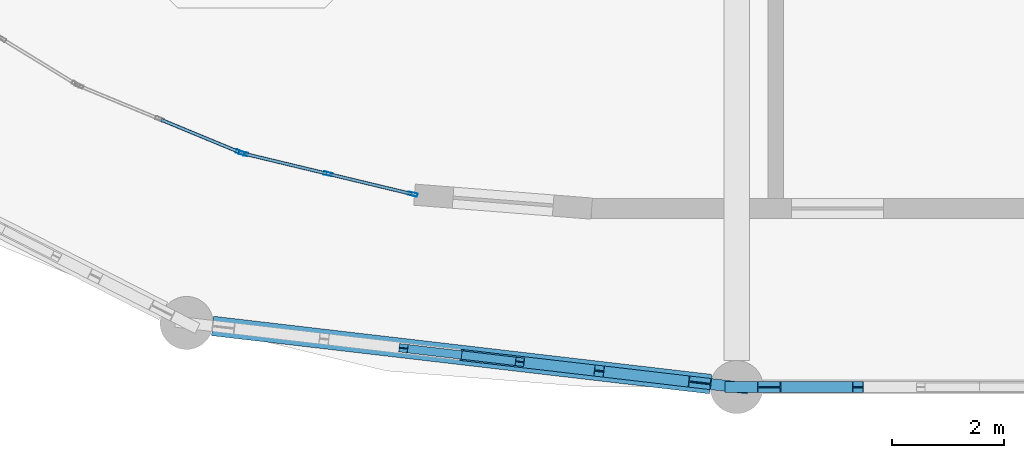
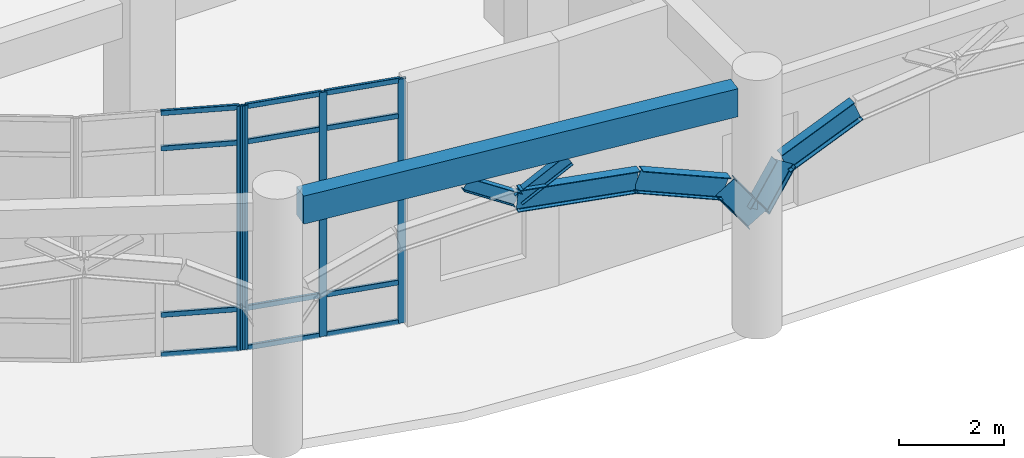
# One storey, part 5 of 82: 18 members, 6 beams, 2 elements without a shape of their own.
"""IFC4 building model written with IfcOpenShell, lengths in metres."""

from ifc_helpers import new_model, si_unit, derived_unit, direction, frame, origin, origin_2d, place, context, subcontext, project, spatial, rectangle, hollow_rectangle, i_section, extrude, material, layer, layer_set, material_profile, profile_set, type_object, element, aggregate, save


model = new_model("IFC4")

# Units and contexts
model_context = context("Model", 3, precision=1e-05, world=origin(), true_north=direction((0.0, 1.0)))
body_context = subcontext(model_context, "Body", "Model", "MODEL_VIEW")
ifc_project = project(units=[si_unit("LENGTHUNIT", "METRE"), si_unit("AREAUNIT", "SQUARE_METRE"), si_unit("VOLUMEUNIT", "CUBIC_METRE"), si_unit("PLANEANGLEUNIT", "RADIAN"), si_unit("MASSUNIT", "GRAM", prefix="KILO"), derived_unit("THERMALTRANSMITTANCEUNIT", [(si_unit("MASSUNIT", "GRAM", prefix="KILO"), 1), (si_unit("TIMEUNIT", "SECOND"), -3), (si_unit("THERMODYNAMICTEMPERATUREUNIT", "KELVIN"), -1)])], contexts=[model_context])

# Site, building, storey
site_placement = place(None, origin())
site = spatial("IfcSite", under=ifc_project, at=site_placement, CompositionType="ELEMENT")
building_placement = place(site_placement, origin())
building = spatial("IfcBuilding", under=site, at=building_placement, Name="Qinzheling Arcade Emporium", CompositionType="ELEMENT")
storey_placement = place(building_placement, origin())
storey = spatial("IfcBuildingStorey", under=building, at=storey_placement, Name="L01", CompositionType="ELEMENT", Elevation=0.0)

# Beams
ifc_material_1 = material(Name="Weathering steel Q355NH", Category="steel")
ifc_material_profile_1 = material_profile(ifc_material_1, i_section(OverallWidth=0.199951171875, OverallDepth=0.5, WebThickness=0.010009765625, FlangeThickness=0.01611328125, FilletRadius=0.01806640625, at=origin_2d()), Name="HN 500x200x10x16", Category="steel")
ifc_profile_set_1 = profile_set([ifc_material_profile_1], Name="Weathering steel Q355NH")
beam_type_1 = type_object("IfcBeamType", Name="Arcade End Arch Rib HN500 Q355NH", PredefinedType="BEAM", material=ifc_profile_set_1)
beam_1_placement = place(storey_placement, frame((21.1689453125, 0.574951171875, 4.300048828125), z_axis=(0.9884870825, -0.115031427348, -0.098290683453), x_axis=(0.115591148928, 0.993296877217, 0.0)))
element("IfcBeam", 1, at=beam_1_placement, inside=storey, type_object=beam_type_1, Name="Curved Arcade Entrance Arch ARC-L01-CV1-B05-C04", PredefinedType="BEAM", context=body_context, shape_type="SweptSolid", body=[
    extrude(i_section(OverallWidth=0.199951171875, OverallDepth=0.5, WebThickness=0.010009765625, FlangeThickness=0.01611328125, FilletRadius=0.01806640625, at=origin_2d()), origin(), (0.0, 0.0, 1.0), 2.493896484375),
])
beam_2_placement = place(storey_placement, frame((23.634033203125, 0.2880859375, 4.054931640625), z_axis=(0.932404077044, -0.109093673291, -0.344559439806), x_axis=(0.116209840616, 0.993224684019, 0.0)))
element("IfcBeam", 2, at=beam_2_placement, inside=storey, type_object=beam_type_1, Name="Curved Arcade Entrance Arch ARC-L01-CV1-B05-C05", PredefinedType="BEAM", context=body_context, shape_type="SweptSolid", body=[
    extrude(i_section(OverallWidth=0.199951171875, OverallDepth=0.5, WebThickness=0.010009765625, FlangeThickness=0.01611328125, FilletRadius=0.01806640625, at=origin_2d()), origin(), (0.0, 0.0, 1.0), 1.935791015625),
])
beam_3_placement = place(storey_placement, frame((25.43896484375, 0.076904296875, 3.387939453125), z_axis=(0.585212853752, -0.068073134761, -0.808017304349), x_axis=(0.115542940591, 0.993302486094, 0.0)))
element("IfcBeam", 3, at=beam_3_placement, inside=storey, type_object=beam_type_1, Name="Curved Arcade Entrance Arch ARC-L01-CV1-B05-C06", PredefinedType="BEAM", context=body_context, shape_type="SweptSolid", body=[
    extrude(i_section(OverallWidth=0.199951171875, OverallDepth=0.5, WebThickness=0.010009765625, FlangeThickness=0.01611328125, FilletRadius=0.01806640625, at=origin_2d()), origin(), (0.0, 0.0, 1.0), 1.129638671875),
])
beam_4_placement = place(storey_placement, frame((26.10009765625, 0.0, 2.675048828125), z_axis=(0.538669576493, 0.0, 0.842517113987), x_axis=(0.0, 1.0, 0.0)))
element("IfcBeam", 4, at=beam_4_placement, inside=storey, type_object=beam_type_1, Name="Street Entrance Arch ARC-L01-S01-C01", PredefinedType="BEAM", context=body_context, shape_type="SweptSolid", body=[
    extrude(i_section(OverallWidth=0.199951171875, OverallDepth=0.5, WebThickness=0.010009765625, FlangeThickness=0.01611328125, FilletRadius=0.01806640625, at=origin_2d()), origin(), (0.0, 0.0, 1.0), 1.082275390625),
])
beam_5_placement = place(storey_placement, frame((26.68310546875, 0.0, 3.5869140625), z_axis=(0.922103242281, 0.0, 0.386943937251), x_axis=(0.0, 1.0, 0.0)))
element("IfcBeam", 5, at=beam_5_placement, inside=storey, type_object=beam_type_1, Name="Street Entrance Arch ARC-L01-S01-C02", PredefinedType="BEAM", context=body_context, shape_type="SweptSolid", body=[
    extrude(i_section(OverallWidth=0.199951171875, OverallDepth=0.5, WebThickness=0.010009765625, FlangeThickness=0.01611328125, FilletRadius=0.01806640625, at=origin_2d()), origin(), (0.0, 0.0, 1.0), 1.726318359375),
])

# Members
ifc_material_profile_2 = material_profile(ifc_material_1, i_section(OverallWidth=0.14990234375, OverallDepth=0.300048828125, WebThickness=0.006591796875, FlangeThickness=0.009033203125, FilletRadius=0.012939453125, at=origin_2d()), Name="HN 300x150x6.5x9", Category="steel")
ifc_profile_set_2 = profile_set([ifc_material_profile_2], Name="Weathering steel Q355NH")
member_type_1 = type_object("IfcMemberType", Name="Arcade Spandrel Web Chord HN300 Q355NH", PredefinedType="CHORD", material=ifc_profile_set_2)
for number, where, z_axis, x_axis, name in (
    (6, (21.1689453125, 0.574951171875, 4.31005859375), (-0.848153034318, 0.09926884765, 0.520367299379), (-0.116247689013, -0.993220254928, 0.0), "Arcade Spandrel Web Chord ASW-L01-CV1-B05-W1"),
    (7, (21.1689453125, 0.574951171875, 4.31005859375), (0.848153034318, -0.09926884765, 0.520367299379), (0.116247689013, 0.993220254928, 0.0), "Arcade Spandrel Web Chord ASW-L01-CV1-B05-W2"),
):
    element("IfcMember", number, at=place(storey_placement, frame(where, z_axis=z_axis, x_axis=x_axis)), inside=storey, type_object=member_type_1, Name=name, PredefinedType="CHORD", context=body_context, shape_type="SweptSolid", body=[
        extrude(i_section(OverallWidth=0.14990234375, OverallDepth=0.300048828125, WebThickness=0.006591796875, FlangeThickness=0.009033203125, FilletRadius=0.012939453125, at=origin_2d()), origin(), (0.0, 0.0, 1.0), 1.229736328125),
    ])

# Curtain wall, members
ifc_material_2 = material(Name="Anodised aluminium and solar-control double glazing", Category="aluminium")
ifc_layer = layer(ifc_material_2, 0.159912109375, Name="Anodised aluminium and solar-control double glazing", Category="aluminium")
ifc_layer_set = layer_set([ifc_layer], Name="Anodised aluminium and solar-control double glazing")
curtain_wall_type = type_object("IfcCurtainWallType", Name="Curved Ribbon Sales Curtain Wall", PredefinedType="NOTDEFINED", material=ifc_layer_set)
curtain_wall_1_placement = place(storey_placement, origin())
curtain_wall_1 = element("IfcCurtainWall", 8, at=curtain_wall_1_placement, inside=storey, type_object=curtain_wall_type, Name="Curtain Wall CW-L01-011", PredefinedType="NOTDEFINED")
ifc_material_3 = material(Name="Anodised aluminium 6063-T6", Category="aluminium")
ifc_material_profile_3 = material_profile(ifc_material_3, hollow_rectangle(XDim=0.06005859375, YDim=0.159912109375, WallThickness=0.00390625, InnerFilletRadius=0.00390625, OuterFilletRadius=0.008056640625, at=origin_2d()), Name="RHS 160x60x4", Category="aluminium")
ifc_profile_set_3 = profile_set([ifc_material_profile_3], Name="Anodised aluminium 6063-T6")
member_type_2 = type_object("IfcMemberType", Name="Curtain Wall Mullion RHS160x60", PredefinedType="MULLION", material=ifc_profile_set_3)
member_1_placement = place(storey_placement, frame((20.294921875, 3.45703125, 0.0), z_axis=(0.0, 0.0, 1.0), x_axis=(-0.233586687032, -0.972335980843, 0.0)))
member_1 = element("IfcMember", 9, at=member_1_placement, type_object=member_type_2, Name="CW02 mullion 1", PredefinedType="MULLION", context=body_context, shape_type="SweptSolid", body=[
    extrude(hollow_rectangle(XDim=0.06005859375, YDim=0.159912109375, WallThickness=0.00390625, InnerFilletRadius=0.00390625, OuterFilletRadius=0.008056640625, at=origin_2d()), origin(), (0.0, 0.0, 1.0), 5.659912109375),
])
member_2_placement = place(storey_placement, frame((18.775390625, 3.822021484375, 0.0), z_axis=(0.0, 0.0, 1.0), x_axis=(-0.233586687032, -0.972335980843, 0.0)))
member_2 = element("IfcMember", 10, at=member_2_placement, type_object=member_type_2, Name="CW02 mullion 2", PredefinedType="MULLION", context=body_context, shape_type="SweptSolid", body=[
    extrude(hollow_rectangle(XDim=0.06005859375, YDim=0.159912109375, WallThickness=0.00390625, InnerFilletRadius=0.00390625, OuterFilletRadius=0.008056640625, at=origin_2d()), origin(), (0.0, 0.0, 1.0), 5.659912109375),
])
member_3_placement = place(storey_placement, frame((17.256103515625, 4.18701171875, 0.0), z_axis=(0.0, 0.0, 1.0), x_axis=(-0.233586687032, -0.972335980843, 0.0)))
member_3 = element("IfcMember", 11, at=member_3_placement, type_object=member_type_2, Name="CW02 mullion 3", PredefinedType="MULLION", context=body_context, shape_type="SweptSolid", body=[
    extrude(hollow_rectangle(XDim=0.06005859375, YDim=0.159912109375, WallThickness=0.00390625, InnerFilletRadius=0.00390625, OuterFilletRadius=0.008056640625, at=origin_2d()), origin(), (0.0, 0.0, 1.0), 5.659912109375),
])

# Curtain wall, member
curtain_wall_2_placement = place(storey_placement, origin())
curtain_wall_2 = element("IfcCurtainWall", 12, at=curtain_wall_2_placement, inside=storey, type_object=curtain_wall_type, Name="Curtain Wall CW-L01-012", PredefinedType="NOTDEFINED")
member_4_placement = place(storey_placement, frame((17.19921875, 4.20556640625, 0.0), z_axis=(0.0, 0.0, 1.0), x_axis=(-0.382675256043, -0.923882919212, 0.0)))
member_4 = element("IfcMember", 13, at=member_4_placement, type_object=member_type_2, Name="CW02 mullion 1", PredefinedType="MULLION", context=body_context, shape_type="SweptSolid", body=[
    extrude(hollow_rectangle(XDim=0.06005859375, YDim=0.159912109375, WallThickness=0.00390625, InnerFilletRadius=0.00390625, OuterFilletRadius=0.008056640625, at=origin_2d()), origin(), (0.0, 0.0, 1.0), 5.659912109375),
])

# Member
ifc_material_profile_4 = material_profile(ifc_material_3, hollow_rectangle(XDim=0.06005859375, YDim=0.1201171875, WallThickness=0.00390625, InnerFilletRadius=0.00390625, OuterFilletRadius=0.008056640625, at=origin_2d()), Name="RHS 120x60x4", Category="aluminium")
ifc_profile_set_4 = profile_set([ifc_material_profile_4], Name="Anodised aluminium 6063-T6")
member_type_3 = type_object("IfcMemberType", Name="Curtain Wall Transom RHS120x60", PredefinedType="USERDEFINED", material=ifc_profile_set_4)
member_5_placement = place(storey_placement, frame((20.265625, 3.464111328125, 0.030029296875), z_axis=(-0.972356319013, 0.233502010431, 0.0), x_axis=(-0.233502010431, -0.972356319013, 0.0)))
member_5 = element("IfcMember", 14, at=member_5_placement, type_object=member_type_3, Name="CW02 transom 1.1", ObjectType="TRANSOM", PredefinedType="USERDEFINED", context=body_context, shape_type="SweptSolid", body=[
    extrude(hollow_rectangle(XDim=0.06005859375, YDim=0.1201171875, WallThickness=0.00390625, InnerFilletRadius=0.00390625, OuterFilletRadius=0.008056640625, at=origin_2d()), origin(), (0.0, 0.0, 1.0), 1.50244140625),
])

member_6_placement = place(storey_placement, frame((20.265625, 3.464111328125, 0.949951171875), z_axis=(-0.972356319013, 0.233502010431, 0.0), x_axis=(-0.233502010431, -0.972356319013, 0.0)))
member_6 = element("IfcMember", 15, at=member_6_placement, type_object=member_type_3, Name="CW02 transom 1.2", ObjectType="TRANSOM", PredefinedType="USERDEFINED", context=body_context, shape_type="SweptSolid", body=[
    extrude(hollow_rectangle(XDim=0.06005859375, YDim=0.1201171875, WallThickness=0.00390625, InnerFilletRadius=0.00390625, OuterFilletRadius=0.008056640625, at=origin_2d()), origin(), (0.0, 0.0, 1.0), 1.50244140625),
])

member_7_placement = place(storey_placement, frame((20.265625, 3.464111328125, 4.81005859375), z_axis=(-0.972356319013, 0.233502010431, 0.0), x_axis=(-0.233502010431, -0.972356319013, 0.0)))
member_7 = element("IfcMember", 16, at=member_7_placement, type_object=member_type_3, Name="CW02 transom 1.3", ObjectType="TRANSOM", PredefinedType="USERDEFINED", context=body_context, shape_type="SweptSolid", body=[
    extrude(hollow_rectangle(XDim=0.06005859375, YDim=0.1201171875, WallThickness=0.00390625, InnerFilletRadius=0.00390625, OuterFilletRadius=0.008056640625, at=origin_2d()), origin(), (0.0, 0.0, 1.0), 1.50244140625),
])

member_8_placement = place(storey_placement, frame((20.265625, 3.464111328125, 5.6298828125), z_axis=(-0.972356319013, 0.233502010431, 0.0), x_axis=(-0.233502010431, -0.972356319013, 0.0)))
member_8 = element("IfcMember", 17, at=member_8_placement, type_object=member_type_3, Name="CW02 transom 1.4", ObjectType="TRANSOM", PredefinedType="USERDEFINED", context=body_context, shape_type="SweptSolid", body=[
    extrude(hollow_rectangle(XDim=0.06005859375, YDim=0.1201171875, WallThickness=0.00390625, InnerFilletRadius=0.00390625, OuterFilletRadius=0.008056640625, at=origin_2d()), origin(), (0.0, 0.0, 1.0), 1.50244140625),
])

member_9_placement = place(storey_placement, frame((18.746337890625, 3.8291015625, 0.030029296875), z_axis=(-0.972356319013, 0.233502010431, 0.0), x_axis=(-0.233502010431, -0.972356319013, 0.0)))
member_9 = element("IfcMember", 18, at=member_9_placement, type_object=member_type_3, Name="CW02 transom 2.1", ObjectType="TRANSOM", PredefinedType="USERDEFINED", context=body_context, shape_type="SweptSolid", body=[
    extrude(hollow_rectangle(XDim=0.06005859375, YDim=0.1201171875, WallThickness=0.00390625, InnerFilletRadius=0.00390625, OuterFilletRadius=0.008056640625, at=origin_2d()), origin(), (0.0, 0.0, 1.0), 1.50244140625),
])

member_10_placement = place(storey_placement, frame((18.746337890625, 3.8291015625, 0.949951171875), z_axis=(-0.972356319013, 0.233502010431, 0.0), x_axis=(-0.233502010431, -0.972356319013, 0.0)))
member_10 = element("IfcMember", 19, at=member_10_placement, type_object=member_type_3, Name="CW02 transom 2.2", ObjectType="TRANSOM", PredefinedType="USERDEFINED", context=body_context, shape_type="SweptSolid", body=[
    extrude(hollow_rectangle(XDim=0.06005859375, YDim=0.1201171875, WallThickness=0.00390625, InnerFilletRadius=0.00390625, OuterFilletRadius=0.008056640625, at=origin_2d()), origin(), (0.0, 0.0, 1.0), 1.50244140625),
])

member_11_placement = place(storey_placement, frame((18.746337890625, 3.8291015625, 4.81005859375), z_axis=(-0.972356319013, 0.233502010431, 0.0), x_axis=(-0.233502010431, -0.972356319013, 0.0)))
member_11 = element("IfcMember", 20, at=member_11_placement, type_object=member_type_3, Name="CW02 transom 2.3", ObjectType="TRANSOM", PredefinedType="USERDEFINED", context=body_context, shape_type="SweptSolid", body=[
    extrude(hollow_rectangle(XDim=0.06005859375, YDim=0.1201171875, WallThickness=0.00390625, InnerFilletRadius=0.00390625, OuterFilletRadius=0.008056640625, at=origin_2d()), origin(), (0.0, 0.0, 1.0), 1.50244140625),
])

member_12_placement = place(storey_placement, frame((18.746337890625, 3.8291015625, 5.6298828125), z_axis=(-0.972356319013, 0.233502010431, 0.0), x_axis=(-0.233502010431, -0.972356319013, 0.0)))
member_12 = element("IfcMember", 21, at=member_12_placement, type_object=member_type_3, Name="CW02 transom 2.4", ObjectType="TRANSOM", PredefinedType="USERDEFINED", context=body_context, shape_type="SweptSolid", body=[
    extrude(hollow_rectangle(XDim=0.06005859375, YDim=0.1201171875, WallThickness=0.00390625, InnerFilletRadius=0.00390625, OuterFilletRadius=0.008056640625, at=origin_2d()), origin(), (0.0, 0.0, 1.0), 1.50244140625),
])

aggregate(curtain_wall_1, [member_1, member_2, member_3, member_5, member_6, member_7, member_8, member_9, member_10, member_11, member_12])

member_13_placement = place(storey_placement, frame((17.171630859375, 4.217041015625, 0.030029296875), z_axis=(-0.92391585997, 0.382595718345, 0.0), x_axis=(-0.382595718345, -0.92391585997, 0.0)))
member_13 = element("IfcMember", 22, at=member_13_placement, type_object=member_type_3, Name="CW02 transom 1.1", ObjectType="TRANSOM", PredefinedType="USERDEFINED", context=body_context, shape_type="SweptSolid", body=[
    extrude(hollow_rectangle(XDim=0.06005859375, YDim=0.1201171875, WallThickness=0.00390625, InnerFilletRadius=0.00390625, OuterFilletRadius=0.008056640625, at=origin_2d()), origin(), (0.0, 0.0, 1.0), 1.502685546875),
])

member_14_placement = place(storey_placement, frame((17.171630859375, 4.217041015625, 0.949951171875), z_axis=(-0.92391585997, 0.382595718345, 0.0), x_axis=(-0.382595718345, -0.92391585997, 0.0)))
member_14 = element("IfcMember", 23, at=member_14_placement, type_object=member_type_3, Name="CW02 transom 1.2", ObjectType="TRANSOM", PredefinedType="USERDEFINED", context=body_context, shape_type="SweptSolid", body=[
    extrude(hollow_rectangle(XDim=0.06005859375, YDim=0.1201171875, WallThickness=0.00390625, InnerFilletRadius=0.00390625, OuterFilletRadius=0.008056640625, at=origin_2d()), origin(), (0.0, 0.0, 1.0), 1.502685546875),
])

member_15_placement = place(storey_placement, frame((17.171630859375, 4.217041015625, 4.81005859375), z_axis=(-0.92391585997, 0.382595718345, 0.0), x_axis=(-0.382595718345, -0.92391585997, 0.0)))
member_15 = element("IfcMember", 24, at=member_15_placement, type_object=member_type_3, Name="CW02 transom 1.3", ObjectType="TRANSOM", PredefinedType="USERDEFINED", context=body_context, shape_type="SweptSolid", body=[
    extrude(hollow_rectangle(XDim=0.06005859375, YDim=0.1201171875, WallThickness=0.00390625, InnerFilletRadius=0.00390625, OuterFilletRadius=0.008056640625, at=origin_2d()), origin(), (0.0, 0.0, 1.0), 1.502685546875),
])

member_16_placement = place(storey_placement, frame((17.171630859375, 4.217041015625, 5.6298828125), z_axis=(-0.92391585997, 0.382595718345, 0.0), x_axis=(-0.382595718345, -0.92391585997, 0.0)))
member_16 = element("IfcMember", 25, at=member_16_placement, type_object=member_type_3, Name="CW02 transom 1.4", ObjectType="TRANSOM", PredefinedType="USERDEFINED", context=body_context, shape_type="SweptSolid", body=[
    extrude(hollow_rectangle(XDim=0.06005859375, YDim=0.1201171875, WallThickness=0.00390625, InnerFilletRadius=0.00390625, OuterFilletRadius=0.008056640625, at=origin_2d()), origin(), (0.0, 0.0, 1.0), 1.502685546875),
])

aggregate(curtain_wall_2, [member_4, member_13, member_14, member_15, member_16])

# Beam
ifc_material_4 = material(Name="Concrete C40", Category="concrete")
ifc_material_profile_5 = material_profile(ifc_material_4, rectangle(XDim=0.35009765625, YDim=0.64990234375, at=origin_2d()), Name="RC 350x650", Category="concrete")
ifc_profile_set_5 = profile_set([ifc_material_profile_5], Name="Concrete C40")
beam_type_2 = type_object("IfcBeamType", Name="RC Spandrel Edge Beam 350x650 C40", PredefinedType="SPANDREL", material=ifc_profile_set_5)
beam_6_placement = place(storey_placement, frame((16.705078125, 1.095947265625, 5.39501953125), z_axis=(0.99325808403, -0.115924020417, 0.0), x_axis=(0.115924020417, 0.99325808403, 0.0)))
element("IfcBeam", 26, at=beam_6_placement, inside=storey, type_object=beam_type_2, Name="Curved Arcade Spandrel BM-L01-CV1-B05", PredefinedType="SPANDREL", context=body_context, shape_type="SweptSolid", body=[
    extrude(rectangle(XDim=0.35009765625, YDim=0.64990234375, at=origin_2d()), origin(), (0.0, 0.0, 1.0), 8.988525390625),
])

save(model, "model.ifc")
